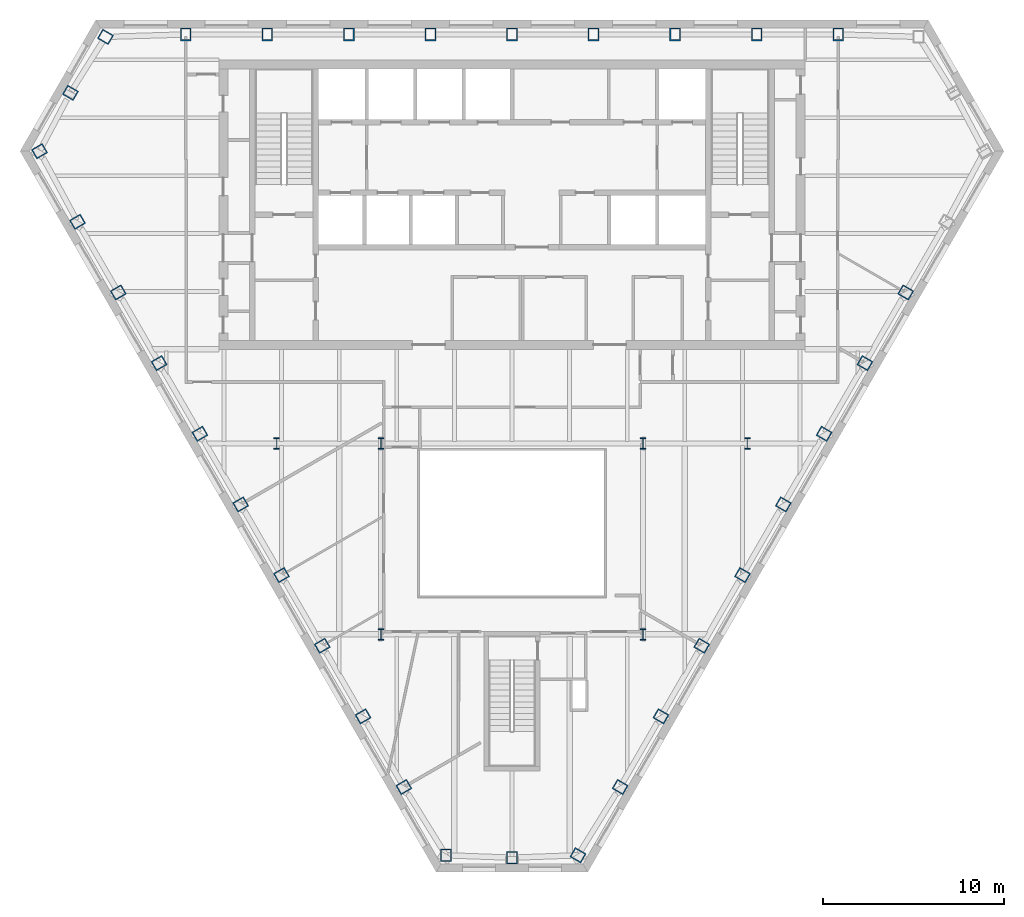
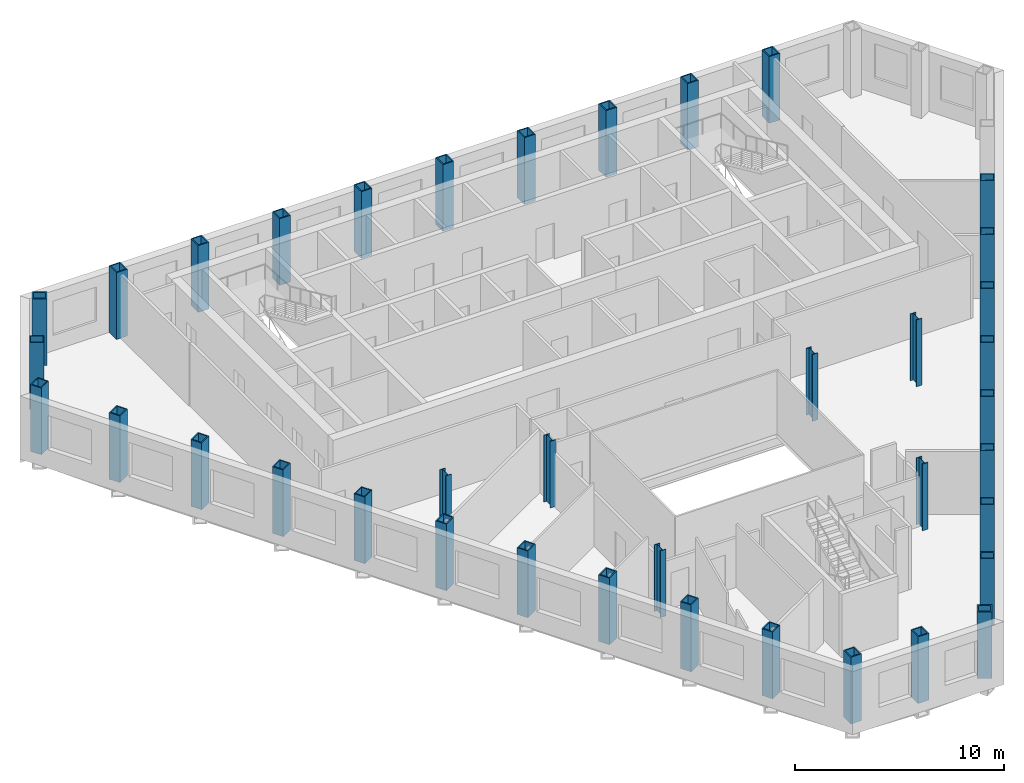
# One storey, part 1 of 11: 38 columns.
"""IFC4 building model written with IfcOpenShell, lengths in metres."""

from ifc_helpers import new_model, si_unit, direction, frame, origin, origin_2d, place, context, subcontext, project, spatial, hollow_rectangle, i_section, extrude, material, material_profile, profile_set, type_object, element, save


model = new_model("IFC4")

# Units and contexts
model_context = context("Model", 3, precision=1e-05, world=origin(), true_north=direction((0.0, 1.0)))
body_context = subcontext(model_context, "Body", "Model", "MODEL_VIEW")
ifc_project = project(units=[si_unit("LENGTHUNIT", "METRE"), si_unit("AREAUNIT", "SQUARE_METRE"), si_unit("VOLUMEUNIT", "CUBIC_METRE"), si_unit("PLANEANGLEUNIT", "RADIAN"), si_unit("MASSUNIT", "GRAM", prefix="KILO")], contexts=[model_context])

# Site, building, storey
site_placement = place(None, origin())
site = spatial("IfcSite", under=ifc_project, at=site_placement, CompositionType="ELEMENT")
building_placement = place(site_placement, origin())
building = spatial("IfcBuilding", under=site, at=building_placement, Name="Njiva Tower", CompositionType="ELEMENT")
storey_placement = place(building_placement, frame((0.0, 0.0, 163.2)))
storey = spatial("IfcBuildingStorey", under=building, at=storey_placement, Name="L35", CompositionType="ELEMENT", Elevation=163.2)

# Columns
ifc_material = material(Name="Steel S355 J2", Category="steel")
ifc_material_profile_1 = material_profile(ifc_material, i_section(OverallWidth=0.305, OverallDepth=0.62, WebThickness=0.021, FlangeThickness=0.04, at=origin_2d()), Name="HEM 600")
ifc_profile_set_1 = profile_set([ifc_material_profile_1], Name="Steel S355 J2")
column_type_1 = type_object("IfcColumnType", Name="C10 Interior column HEM 600", PredefinedType="COLUMN", material=ifc_profile_set_1)
for number, where, z_axis, x_axis, name in (
    (1, (7.24, -3.2, 0.0), (0.0, 0.0, 1.0), (1.0, 0.0, 0.0), "Interior column S12-C37"),
    (2, (-7.24, -3.2, 0.0), (0.0, 0.0, 1.0), (1.0, 0.0, 0.0), "Interior column S12-C38"),
    (3, (7.24, -13.75, 0.0), (0.0, 0.0, 1.0), (1.0, 0.0, 0.0), "Interior column S12-C39"),
    (4, (-7.24, -13.75, 0.0), (0.0, 0.0, 1.0), (1.0, 0.0, 0.0), "Interior column S12-C40"),
    (5, (13.0, -3.2, 0.0), (0.0, 0.0, 1.0), (1.0, 0.0, 0.0), "Interior column S12-C41"),
    (6, (-13.0, -3.2, 0.0), (0.0, 0.0, 1.0), (1.0, 0.0, 0.0), "Interior column S12-C42"),
):
    element("IfcColumn", number, at=place(storey_placement, frame(where, z_axis=z_axis, x_axis=x_axis)), inside=storey, type_object=column_type_1, Name=name, PredefinedType="COLUMN", context=body_context, shape_type="SweptSolid", body=[
        extrude(i_section(OverallWidth=0.305, OverallDepth=0.62, WebThickness=0.021, FlangeThickness=0.04, at=origin_2d()), origin(), (0.0, 0.0, 1.0), 3.9),
    ])
ifc_material_profile_2 = material_profile(ifc_material, hollow_rectangle(XDim=0.6, YDim=0.7, WallThickness=0.06, at=origin_2d()), Name="BOX 700x600x60")
ifc_profile_set_2 = profile_set([ifc_material_profile_2], Name="Steel S355 J2")
column_type_2 = type_object("IfcColumnType", Name="C9 Perimeter tube column BOX 700x600x60", PredefinedType="COLUMN", material=ifc_profile_set_2)
for number, where, z_axis, x_axis, name in (
    (7, (18.03, 19.4, 0.0), (0.0, 0.0, 1.0), (-1.0, 0.0, 0.0), "Perimeter tube column S12-C02"),
    (8, (13.523, 19.4, 0.0), (0.0, 0.0, 1.0), (-1.0, 0.0, 0.0), "Perimeter tube column S12-C03"),
    (9, (9.015, 19.4, 0.0), (0.0, 0.0, 1.0), (-1.0, 0.0, 0.0), "Perimeter tube column S12-C04"),
    (10, (4.508, 19.4, 0.0), (0.0, 0.0, 1.0), (-1.0, 0.0, 0.0), "Perimeter tube column S12-C05"),
    (11, (0.0, 19.4, 0.0), (0.0, 0.0, 1.0), (-1.0, 0.0, 0.0), "Perimeter tube column S12-C06"),
    (12, (-4.508, 19.4, 0.0), (0.0, 0.0, 1.0), (-1.0, 0.0, 0.0), "Perimeter tube column S12-C07"),
    (13, (-9.015, 19.4, 0.0), (0.0, 0.0, 1.0), (-1.0, 0.0, 0.0), "Perimeter tube column S12-C08"),
    (14, (-13.523, 19.4, 0.0), (0.0, 0.0, 1.0), (-1.0, 0.0, 0.0), "Perimeter tube column S12-C09"),
    (15, (-18.03, 19.4, 0.0), (0.0, 0.0, 1.0), (-1.0, 0.0, 0.0), "Perimeter tube column S12-C10"),
    (16, (-22.461, 19.267, 0.0), (0.0, 0.0, 1.0), (-0.5, -0.866025403784, 0.0), "Perimeter tube column S12-C11"),
    (17, (-24.4, 16.176, 0.0), (0.0, 0.0, 1.0), (-0.5, -0.866025403784, 0.0), "Perimeter tube column S12-C12"),
    (18, (-26.108, 12.951, 0.0), (0.0, 0.0, 1.0), (0.5, -0.866025403784, 0.0), "Perimeter tube column S12-C13"),
    (19, (-24.007, 9.048, 0.0), (0.0, 0.0, 1.0), (0.5, -0.866025403784, 0.0), "Perimeter tube column S12-C14"),
    (20, (-21.754, 5.144, 0.0), (0.0, 0.0, 1.0), (0.5, -0.866025403784, 0.0), "Perimeter tube column S12-C15"),
    (21, (-19.5, 1.24, 0.0), (0.0, 0.0, 1.0), (0.5, -0.866025403784, 0.0), "Perimeter tube column S12-C16"),
    (22, (-17.246, -2.664, 0.0), (0.0, 0.0, 1.0), (0.5, -0.866025403784, 0.0), "Perimeter tube column S12-C17"),
    (23, (-14.992, -6.567, 0.0), (0.0, 0.0, 1.0), (0.5, -0.866025403784, 0.0), "Perimeter tube column S12-C18"),
    (24, (-12.738, -10.471, 0.0), (0.0, 0.0, 1.0), (0.5, -0.866025403784, 0.0), "Perimeter tube column S12-C19"),
    (25, (-10.485, -14.375, 0.0), (0.0, 0.0, 1.0), (0.5, -0.866025403784, 0.0), "Perimeter tube column S12-C20"),
    (26, (-8.231, -18.278, 0.0), (0.0, 0.0, 1.0), (0.5, -0.866025403784, 0.0), "Perimeter tube column S12-C21"),
    (27, (-5.977, -22.182, 0.0), (0.0, 0.0, 1.0), (0.5, -0.866025403784, 0.0), "Perimeter tube column S12-C22"),
    (28, (-3.646, -25.953, 0.0), (0.0, 0.0, 1.0), (1.0, 0.0, 0.0), "Perimeter tube column S12-C23"),
    (29, (0.0, -26.086, 0.0), (0.0, 0.0, 1.0), (1.0, 0.0, 0.0), "Perimeter tube column S12-C24"),
    (30, (3.646, -25.953, 0.0), (0.0, 0.0, 1.0), (0.5, 0.866025403784, 0.0), "Perimeter tube column S12-C25"),
    (31, (5.977, -22.182, 0.0), (0.0, 0.0, 1.0), (0.5, 0.866025403784, 0.0), "Perimeter tube column S12-C26"),
    (32, (8.231, -18.278, 0.0), (0.0, 0.0, 1.0), (0.5, 0.866025403784, 0.0), "Perimeter tube column S12-C27"),
    (33, (10.485, -14.375, 0.0), (0.0, 0.0, 1.0), (0.5, 0.866025403784, 0.0), "Perimeter tube column S12-C28"),
    (34, (12.738, -10.471, 0.0), (0.0, 0.0, 1.0), (0.5, 0.866025403784, 0.0), "Perimeter tube column S12-C29"),
    (35, (14.992, -6.567, 0.0), (0.0, 0.0, 1.0), (0.5, 0.866025403784, 0.0), "Perimeter tube column S12-C30"),
    (36, (17.246, -2.664, 0.0), (0.0, 0.0, 1.0), (0.5, 0.866025403784, 0.0), "Perimeter tube column S12-C31"),
    (37, (19.5, 1.24, 0.0), (0.0, 0.0, 1.0), (0.5, 0.866025403784, 0.0), "Perimeter tube column S12-C32"),
    (38, (21.754, 5.144, 0.0), (0.0, 0.0, 1.0), (0.5, 0.866025403784, 0.0), "Perimeter tube column S12-C33"),
):
    element("IfcColumn", number, at=place(storey_placement, frame(where, z_axis=z_axis, x_axis=x_axis)), inside=storey, type_object=column_type_2, Name=name, PredefinedType="COLUMN", context=body_context, shape_type="SweptSolid", body=[
        extrude(hollow_rectangle(XDim=0.6, YDim=0.7, WallThickness=0.06, at=origin_2d()), origin(), (0.0, 0.0, 1.0), 3.9),
    ])

save(model, "model.ifc")
